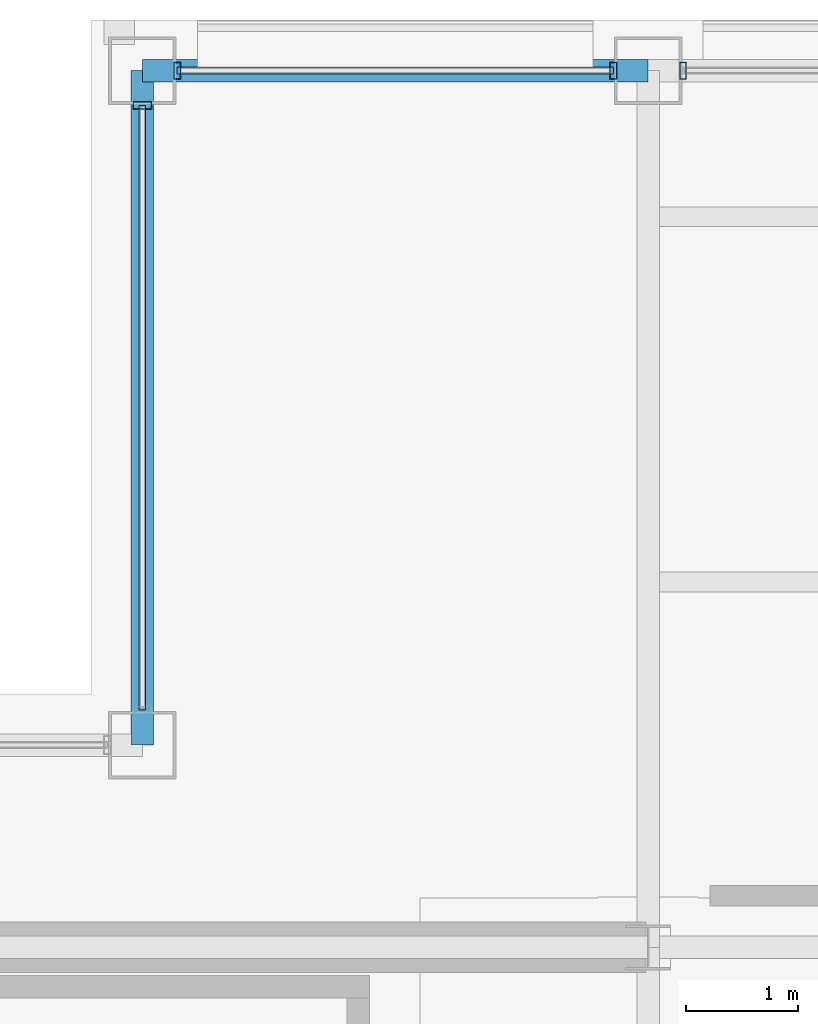
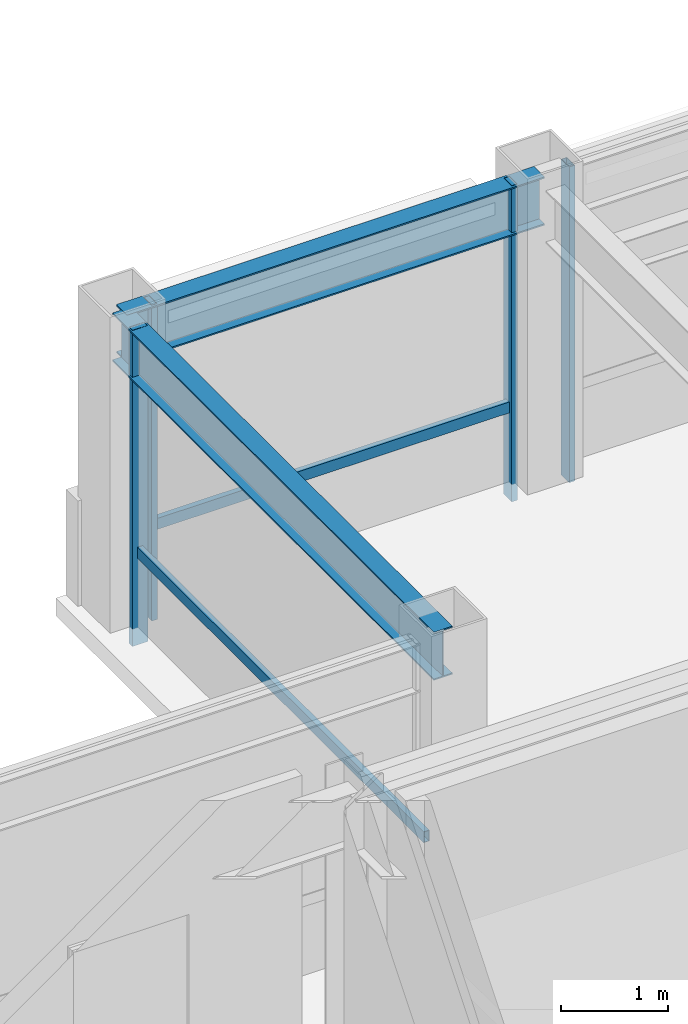
# One storey, part 14 of 22: 6 members, 2 beams, 3 elements without a shape of their own.
"""IFC4 building model written with IfcOpenShell, lengths in metres."""

from ifc_helpers import new_model, si_unit, direction, frame, origin, origin_2d, place, context, subcontext, project, spatial, hollow_rectangle, i_section, extrude, material, layer, layer_set, material_profile, profile_set, type_object, element, aggregate, save


model = new_model("IFC4")

# Units and contexts
model_context = context("Model", 3, precision=1e-05, world=origin(), true_north=direction((0.0, 1.0)))
body_context = subcontext(model_context, "Body", "Model", "MODEL_VIEW")
ifc_project = project(units=[si_unit("LENGTHUNIT", "METRE"), si_unit("AREAUNIT", "SQUARE_METRE"), si_unit("VOLUMEUNIT", "CUBIC_METRE"), si_unit("PLANEANGLEUNIT", "RADIAN"), si_unit("MASSUNIT", "GRAM", prefix="KILO")], contexts=[model_context])

# Site, building, storey
site_placement = place(None, origin())
site = spatial("IfcSite", under=ifc_project, at=site_placement, CompositionType="ELEMENT")
building_placement = place(site_placement, origin())
building = spatial("IfcBuilding", under=site, at=building_placement, Name="Brelmoor Portico Tower", CompositionType="ELEMENT")
storey_placement = place(building_placement, frame((0.0, 0.0, 280.800048828125)))
storey = spatial("IfcBuildingStorey", under=building, at=storey_placement, Name="L74", CompositionType="ELEMENT", Elevation=280.800048828125)

# Beams
ifc_material_1 = material(Name="Steel Q355B", Category="steel")
ifc_material_profile_1 = material_profile(ifc_material_1, i_section(OverallWidth=0.199951171875, OverallDepth=0.550048828125, WebThickness=0.010009765625, FlangeThickness=0.01611328125, at=origin_2d()), Name="HN 550x200x10x16")
ifc_profile_set_1 = profile_set([ifc_material_profile_1], Name="Steel Q355B")
beam_type = type_object("IfcBeamType", Name="BM-SP-550", PredefinedType="SPANDREL", material=ifc_profile_set_1)
beam_1_placement = place(storey_placement, frame((-12.550048828125, 17.550048828125, 3.125), z_axis=(1.0, 0.0, 0.0), x_axis=(0.0, 1.0, 0.0)))
element("IfcBeam", 1, at=beam_1_placement, inside=storey, type_object=beam_type, Name="L74 Perimeter Spandrel Beam SP-08", PredefinedType="SPANDREL", context=body_context, shape_type="SweptSolid", body=[
    extrude(i_section(OverallWidth=0.199951171875, OverallDepth=0.550048828125, WebThickness=0.010009765625, FlangeThickness=0.01611328125, at=origin_2d()), origin(), (0.0, 0.0, 1.0), 4.5),
])
beam_2_placement = place(storey_placement, frame((-12.550048828125, 11.550048828125, 3.125), z_axis=(0.0, 1.0, 0.0), x_axis=(-1.0, 0.0, 0.0)))
element("IfcBeam", 2, at=beam_2_placement, inside=storey, type_object=beam_type, Name="L74 Perimeter Spandrel Beam SP-15", PredefinedType="SPANDREL", context=body_context, shape_type="SweptSolid", body=[
    extrude(i_section(OverallWidth=0.199951171875, OverallDepth=0.550048828125, WebThickness=0.010009765625, FlangeThickness=0.01611328125, at=origin_2d()), origin(), (0.0, 0.0, 1.0), 6.0),
])

# Curtain wall, members
ifc_material_2 = material(Name="Anodised Aluminium Alloy 6063-T6", Category="aluminium")
ifc_layer_1 = layer(ifc_material_2, 0.179931640625)
ifc_layer_set_1 = layer_set([ifc_layer_1], Name="Anodised Aluminium Alloy 6063-T6")
curtain_wall_type_1 = type_object("IfcCurtainWallType", Name="CW-TOWER-Z4", PredefinedType="NOTDEFINED", material=ifc_layer_set_1)
curtain_wall_1_placement = place(storey_placement, origin())
curtain_wall_1 = element("IfcCurtainWall", 3, at=curtain_wall_1_placement, inside=storey, type_object=curtain_wall_type_1, Name="L74 Curtain Wall CW-L74-02-1", PredefinedType="NOTDEFINED")
ifc_material_profile_2 = material_profile(ifc_material_2, hollow_rectangle(XDim=0.06005859375, YDim=0.14990234375, WallThickness=0.00390625, at=origin_2d()), Name="ALU MULLION 60x150")
ifc_profile_set_2 = profile_set([ifc_material_profile_2], Name="Anodised Aluminium Alloy 6063-T6")
member_type_1 = type_object("IfcMemberType", Name="MB-CW-MULL-150", PredefinedType="MULLION", material=ifc_profile_set_2)
member_1_placement = place(storey_placement, frame((-12.239990234375, 17.550048828125, -0.199951171875), z_axis=(0.0, 0.0, 1.0), x_axis=(1.0, 0.0, 0.0)))
member_1 = element("IfcMember", 4, at=member_1_placement, type_object=member_type_1, Name="CW-L74-02-1 Mullion 00", PredefinedType="MULLION", context=body_context, shape_type="SweptSolid", body=[
    extrude(hollow_rectangle(XDim=0.06005859375, YDim=0.14990234375, WallThickness=0.00390625, at=origin_2d()), origin(), (0.0, 0.0, 1.0), 3.599853515625),
])
member_2_placement = place(storey_placement, frame((-8.360107421875, 17.550048828125, -0.199951171875), z_axis=(0.0, 0.0, 1.0), x_axis=(1.0, 0.0, 0.0)))
member_2 = element("IfcMember", 5, at=member_2_placement, type_object=member_type_1, Name="CW-L74-02-1 Mullion 01", PredefinedType="MULLION", context=body_context, shape_type="SweptSolid", body=[
    extrude(hollow_rectangle(XDim=0.06005859375, YDim=0.14990234375, WallThickness=0.00390625, at=origin_2d()), origin(), (0.0, 0.0, 1.0), 3.599853515625),
])

# Curtain wall, member
curtain_wall_2_placement = place(storey_placement, origin())
curtain_wall_2 = element("IfcCurtainWall", 6, at=curtain_wall_2_placement, inside=storey, type_object=curtain_wall_type_1, Name="L74 Curtain Wall CW-L74-02-2", PredefinedType="NOTDEFINED")
member_3_placement = place(storey_placement, frame((-7.739990234375, 17.550048828125, -0.199951171875), z_axis=(0.0, 0.0, 1.0), x_axis=(1.0, 0.0, 0.0)))
member_3 = element("IfcMember", 7, at=member_3_placement, type_object=member_type_1, Name="CW-L74-02-2 Mullion 00", PredefinedType="MULLION", context=body_context, shape_type="SweptSolid", body=[
    extrude(hollow_rectangle(XDim=0.06005859375, YDim=0.14990234375, WallThickness=0.00390625, at=origin_2d()), origin(), (0.0, 0.0, 1.0), 3.599853515625),
])
aggregate(curtain_wall_2, [member_3])

ifc_layer_2 = layer(ifc_material_2, 0.179931640625)
ifc_layer_set_2 = layer_set([ifc_layer_2], Name="Anodised Aluminium Alloy 6063-T6")
curtain_wall_type_2 = type_object("IfcCurtainWallType", Name="CW-NOTCH-CHAMFER", PredefinedType="NOTDEFINED", material=ifc_layer_set_2)
curtain_wall_3_placement = place(storey_placement, origin())
curtain_wall_3 = element("IfcCurtainWall", 8, at=curtain_wall_3_placement, inside=storey, type_object=curtain_wall_type_2, Name="L74 Curtain Wall CWN-L74-NWV", PredefinedType="NOTDEFINED")
ifc_material_profile_3 = material_profile(ifc_material_2, hollow_rectangle(XDim=0.06494140625, YDim=0.1650390625, WallThickness=0.00390625, at=origin_2d()), Name="ALU MULLION 65x165")
ifc_profile_set_3 = profile_set([ifc_material_profile_3], Name="Anodised Aluminium Alloy 6063-T6")
member_type_2 = type_object("IfcMemberType", Name="MB-CW-MULL-165", PredefinedType="MULLION", material=ifc_profile_set_3)
member_4_placement = place(storey_placement, frame((-12.550048828125, 17.239990234375, -0.199951171875), z_axis=(0.0, 0.0, 1.0), x_axis=(0.0, 1.0, 0.0)))
member_4 = element("IfcMember", 9, at=member_4_placement, type_object=member_type_2, Name="CWN-L74-NWV Mullion 01", PredefinedType="MULLION", context=body_context, shape_type="SweptSolid", body=[
    extrude(hollow_rectangle(XDim=0.06494140625, YDim=0.1650390625, WallThickness=0.00390625, at=origin_2d()), origin(), (0.0, 0.0, 1.0), 3.599853515625),
])

# Member
ifc_material_profile_4 = material_profile(ifc_material_2, hollow_rectangle(XDim=0.06005859375, YDim=0.125, WallThickness=0.00341796875, at=origin_2d()), Name="ALU TRANSOM 60x125")
ifc_profile_set_4 = profile_set([ifc_material_profile_4], Name="Anodised Aluminium Alloy 6063-T6")
member_type_3 = type_object("IfcMemberType", Name="MB-CW-TRAN-125", PredefinedType="USERDEFINED", material=ifc_profile_set_4)
member_5_placement = place(storey_placement, frame((-12.239990234375, 17.550048828125, 0.849853515625), z_axis=(1.0, 0.0, 0.0), x_axis=(0.0, 1.0, 0.0)))
member_5 = element("IfcMember", 10, at=member_5_placement, type_object=member_type_3, Name="CW-L74-02-1 Transom 1-00", ObjectType="TRANSOM", PredefinedType="USERDEFINED", context=body_context, shape_type="SweptSolid", body=[
    extrude(hollow_rectangle(XDim=0.06005859375, YDim=0.125, WallThickness=0.00341796875, at=origin_2d()), origin(), (0.0, 0.0, 1.0), 3.8798828125),
])

aggregate(curtain_wall_1, [member_1, member_2, member_5])

member_6_placement = place(storey_placement, frame((-12.550048828125, 11.860107421875, 0.849853515625), z_axis=(0.0, 1.0, 0.0), x_axis=(-1.0, 0.0, 0.0)))
member_6 = element("IfcMember", 11, at=member_6_placement, type_object=member_type_3, Name="CWN-L74-NWV Transom 1-00", ObjectType="TRANSOM", PredefinedType="USERDEFINED", context=body_context, shape_type="SweptSolid", body=[
    extrude(hollow_rectangle(XDim=0.06005859375, YDim=0.125, WallThickness=0.00341796875, at=origin_2d()), origin(), (0.0, 0.0, 1.0), 5.3798828125),
])

aggregate(curtain_wall_3, [member_4, member_6])

save(model, "model.ifc")
